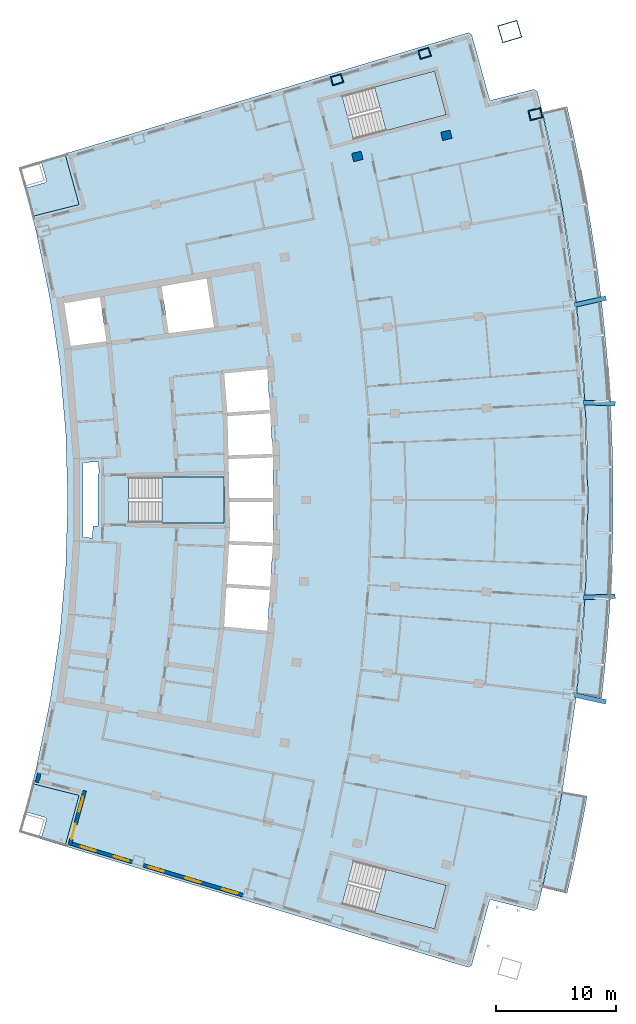
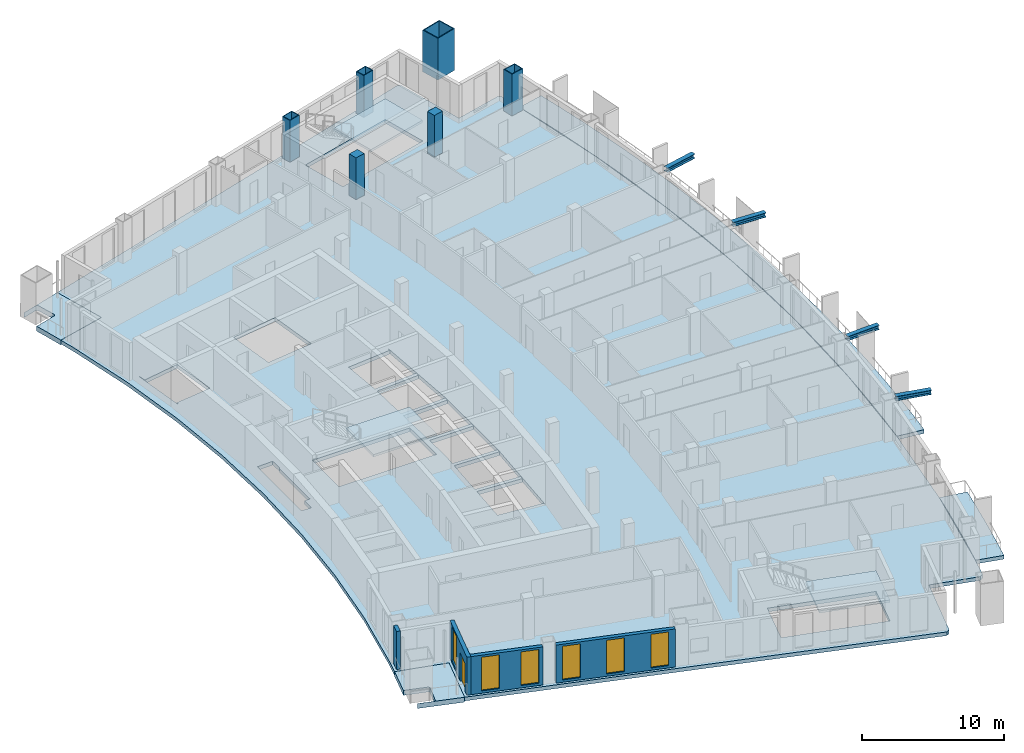
# One storey, part 8 of 19: 8 slabs, 6 columns, 6 windows, 4 members, 4 walls, 1 door, 7 openings, 3 elements without a shape of their own.
"""IFC4 building model written with IfcOpenShell, lengths in metres."""

from ifc_helpers import new_model, si_unit, direction, frame, frame_2d, origin, origin_2d, place, context, subcontext, project, spatial, polyline, rectangle, hollow_rectangle, i_section, outline, extrude, material, layer, layer_set, material_profile, profile_set, type_object, element, fill, aggregate, save


model = new_model("IFC4")

# Units and contexts
model_context = context("Model", 3, precision=1e-05, world=origin(), true_north=direction((0.0, 1.0)))
body_context = subcontext(model_context, "Body", "Model", "MODEL_VIEW")
ifc_project = project(units=[si_unit("LENGTHUNIT", "METRE"), si_unit("AREAUNIT", "SQUARE_METRE"), si_unit("VOLUMEUNIT", "CUBIC_METRE"), si_unit("PLANEANGLEUNIT", "RADIAN"), si_unit("MASSUNIT", "GRAM", prefix="KILO")], contexts=[model_context])

# Site, building, storey
site_placement = place(None, origin())
site = spatial("IfcSite", under=ifc_project, at=site_placement, CompositionType="ELEMENT")
building_placement = place(site_placement, origin())
building = spatial("IfcBuilding", under=site, at=building_placement, Name="Alderwake Tower", CompositionType="ELEMENT")
storey_placement = place(building_placement, frame((0.0, 0.0, 192.800048828125)))
storey = spatial("IfcBuildingStorey", under=building, at=storey_placement, Name="L47", CompositionType="ELEMENT", Elevation=192.800048828125)

# Columns
ifc_material_1 = material(Name="Steel ASTM A572 Grade 50 concrete filled C70/85", Category="concrete")
ifc_material_profile_1 = material_profile(ifc_material_1, hollow_rectangle(XDim=0.75, YDim=0.949951171875, WallThickness=0.054931640625, at=origin_2d()), Name="BOX 950X750X55")
ifc_profile_set_1 = profile_set([ifc_material_profile_1], Name="Steel ASTM A572 Grade 50 concrete filled C70/85")
column_type_1 = type_object("IfcColumnType", Name="End column Z4", PredefinedType="COLUMN", material=ifc_profile_set_1)
for number, where, z_axis, x_axis, name in (
    (1, (38.359619140625, 95.908447265625, 0.0), (0.0, 0.0, 1.0), (-0.282888913059, 0.959152679644, 0.0), "Column R12-C3"),
    (2, (45.638671875, 98.093994140625, 0.0), (0.0, 0.0, 1.0), (-0.283160095779, 0.95907265635, 0.0), "Column R12-C4"),
):
    element("IfcColumn", number, at=place(storey_placement, frame(where, z_axis=z_axis, x_axis=x_axis)), inside=storey, type_object=column_type_1, Name=name, PredefinedType="COLUMN", context=body_context, shape_type="SweptSolid", body=[
        extrude(hollow_rectangle(XDim=0.75, YDim=0.949951171875, WallThickness=0.054931640625, at=origin_2d()), origin(), (0.0, 0.0, 1.0), 3.599853515625),
    ])
ifc_material_2 = material(Name="Concrete C70/85", Category="concrete")
ifc_material_profile_2 = material_profile(ifc_material_2, rectangle(XDim=0.699951171875, YDim=0.800048828125, at=origin_2d()), Name="RC 800X700")
ifc_profile_set_2 = profile_set([ifc_material_profile_2], Name="Concrete C70/85")
column_type_2 = type_object("IfcColumnType", Name="Interior column Z4", PredefinedType="COLUMN", material=ifc_profile_set_2)
for number, where, z_axis, x_axis, name in (
    (3, (40.055908203125, 89.53271484375, 0.0), (0.0, 0.0, 1.0), (-0.231221547198, 0.972901123502, 0.0), "Column R11-C3"),
    (4, (47.449951171875, 91.2900390625, 0.0), (0.0, 0.0, 1.0), (-0.231221547198, 0.972901123502, 0.0), "Column R11-C4"),
):
    element("IfcColumn", number, at=place(storey_placement, frame(where, z_axis=z_axis, x_axis=x_axis)), inside=storey, type_object=column_type_2, Name=name, PredefinedType="COLUMN", context=body_context, shape_type="SweptSolid", body=[
        extrude(rectangle(XDim=0.699951171875, YDim=0.800048828125, at=origin_2d()), origin(), (0.0, 0.0, 1.0), 3.599853515625),
    ])
ifc_material_3 = material(Name="Steel ASTM A572 Grade 50 concrete filled C70/85", Category="concrete")
ifc_material_profile_3 = material_profile(ifc_material_3, hollow_rectangle(XDim=1.5, YDim=1.699951171875, WallThickness=0.074951171875, at=origin_2d()), Name="BOX 1700X1500X75")
ifc_profile_set_3 = profile_set([ifc_material_profile_3], Name="Steel ASTM A572 Grade 50 concrete filled C70/85")
column_type_3 = type_object("IfcColumnType", Name="Mega column Z4", PredefinedType="COLUMN", material=ifc_profile_set_3)
column_1_placement = place(storey_placement, frame((52.714599609375, 99.906982421875, 0.0), z_axis=(0.0, 0.0, 1.0), x_axis=(-0.281323312272, 0.959613043874, 0.0)))
element("IfcColumn", 5, at=column_1_placement, inside=storey, type_object=column_type_3, Name="Column R12-C5", PredefinedType="COLUMN", context=body_context, shape_type="SweptSolid", body=[
    extrude(hollow_rectangle(XDim=1.5, YDim=1.699951171875, WallThickness=0.074951171875, at=origin_2d()), origin(), (0.0, 0.0, 1.0), 3.599853515625),
])
ifc_material_4 = material(Name="Steel ASTM A572 Grade 50 concrete filled C70/85", Category="concrete")
ifc_material_profile_4 = material_profile(ifc_material_4, hollow_rectangle(XDim=0.85009765625, YDim=1.050048828125, WallThickness=0.054931640625, at=origin_2d()), Name="BOX 1050X850X55")
ifc_profile_set_4 = profile_set([ifc_material_profile_4], Name="Steel ASTM A572 Grade 50 concrete filled C70/85")
column_type_4 = type_object("IfcColumnType", Name="Perimeter column Z4", PredefinedType="COLUMN", material=ifc_profile_set_4)
column_2_placement = place(storey_placement, frame((54.843994140625, 93.04736328125, 0.0), z_axis=(0.0, 0.0, 1.0), x_axis=(-0.231221547198, 0.972901123502, 0.0)))
element("IfcColumn", 6, at=column_2_placement, inside=storey, type_object=column_type_4, Name="Column R11-C5", PredefinedType="COLUMN", context=body_context, shape_type="SweptSolid", body=[
    extrude(hollow_rectangle(XDim=0.85009765625, YDim=1.050048828125, WallThickness=0.054931640625, at=origin_2d()), origin(), (0.0, 0.0, 1.0), 3.599853515625),
])

# Members
ifc_material_5 = material(Name="Steel ASTM A992 Grade 50", Category="steel")
ifc_material_profile_5 = material_profile(ifc_material_5, i_section(OverallWidth=0.3740234375, OverallDepth=0.372314453125, WebThickness=0.016357421875, FlangeThickness=0.026123046875, at=origin_2d()), Name="W14X132")
ifc_profile_set_5 = profile_set([ifc_material_profile_5], Name="Steel ASTM A992 Grade 50")
member_type = type_object("IfcMemberType", Name="Brace node stub W14X132", PredefinedType="MEMBER", material=ifc_profile_set_5)
for number, where, z_axis, x_axis, name in (
    (7, (58.12890625, 44.80517578125, 3.393798828125), (0.975970860865, -0.217901075587, 0.0), (0.217901075587, 0.975970860865, 0.0), "Brace node stub BS.FR05-C5.1964"),
    (8, (58.8388671875, 52.898193359375, 3.393798828125), (0.999003188635, 0.044638874286, 0.0), (-0.044638874286, 0.999003188635, 0.0), "Brace node stub BS.FR06-C5.1964"),
    (9, (58.8388671875, 69.101806640625, 3.393798828125), (0.999003188635, -0.044638874286, 0.0), (0.044638874286, 0.999003188635, 0.0), "Brace node stub BS.FR08-C5.1964"),
    (10, (58.12890625, 77.19482421875, 3.393798828125), (0.975970860865, 0.217901075587, 0.0), (-0.217901075587, 0.975970860865, 0.0), "Brace node stub BS.FR09-C5.1964"),
):
    element("IfcMember", number, at=place(storey_placement, frame(where, z_axis=z_axis, x_axis=x_axis)), inside=storey, type_object=member_type, Name=name, PredefinedType="MEMBER", context=body_context, shape_type="SweptSolid", body=[
        extrude(i_section(OverallWidth=0.3740234375, OverallDepth=0.372314453125, WebThickness=0.016357421875, FlangeThickness=0.026123046875, at=origin_2d()), origin(), (0.0, 0.0, 1.0), 2.63623046875),
    ])

# Slabs
ifc_material_6 = material(Name="Concrete C50/60", Category="concrete")
ifc_layer_1 = layer(ifc_material_6, 0.320068359375)
ifc_layer_set_1 = layer_set([ifc_layer_1], Name="Balcony slab 320")
slab_type_1 = type_object("IfcSlabType", Name="Balcony slab 320", PredefinedType="FLOOR", material=ifc_layer_set_1)
slab_1_placement = place(storey_placement, frame((0.0, 0.0, -0.320068359375)))
element("IfcSlab", 11, at=slab_1_placement, inside=storey, type_object=slab_type_1, Name="Balcony BF03", PredefinedType="FLOOR", context=body_context, shape_type="SweptSolid", body=[
    extrude(outline(polyline([(55.427734375, 28.81396484375), (57.470947265625, 28.328369140625), (57.9326171875, 30.33642578125), (58.365234375, 32.351318359375), (58.768310546875, 34.3720703125), (59.141845703125, 36.3984375), (57.073974609375, 36.76416015625), (56.705810546875, 34.767822265625), (56.308837890625, 32.777099609375), (55.8828125, 30.792236328125), (55.427734375, 28.81396484375)])), origin(), (0.0, 0.0, 1.0), 0.320068359375),
])
slab_2_placement = place(storey_placement, frame((0.0, 0.0, -0.320068359375)))
element("IfcSlab", 12, at=slab_2_placement, inside=storey, type_object=slab_type_1, Name="Balcony BF05", PredefinedType="FLOOR", context=body_context, shape_type="SweptSolid", body=[
    extrude(outline(polyline([(60.564453125, 46.6005859375), (60.759521484375, 48.652099609375), (60.924560546875, 50.7060546875), (61.059814453125, 52.76220703125), (61.164794921875, 54.820068359375), (61.239990234375, 56.87939453125), (61.284912109375, 58.939453125), (61.300048828125, 61.0), (61.284912109375, 63.060546875), (61.239990234375, 65.12060546875), (61.164794921875, 67.179931640625), (61.059814453125, 69.23779296875), (60.924560546875, 71.2939453125), (60.759521484375, 73.347900390625), (60.564453125, 75.3994140625), (60.339599609375, 77.447509765625), (60.084716796875, 79.492431640625), (59.800048828125, 81.533203125), (59.48583984375, 83.56982421875), (59.141845703125, 85.6015625), (58.768310546875, 87.6279296875), (58.365234375, 89.648681640625), (57.9326171875, 91.66357421875), (57.470947265625, 93.671630859375), (55.427734375, 93.18603515625), (55.8828125, 91.207763671875), (56.308837890625, 89.222900390625), (56.705810546875, 87.232177734375), (57.073974609375, 85.23583984375), (57.412841796875, 83.234375), (57.722412109375, 81.22802734375), (58.002685546875, 79.217529296875), (58.253662109375, 77.203125), (58.475341796875, 75.185302734375), (58.66748046875, 73.16455078125), (58.830078125, 71.14111328125), (58.963134765625, 69.115478515625), (59.06689453125, 67.088134765625), (59.140869140625, 65.059326171875), (59.185302734375, 63.02978515625), (59.199951171875, 61.0), (59.185302734375, 58.97021484375), (59.140869140625, 56.940673828125), (59.06689453125, 54.911865234375), (58.963134765625, 52.884521484375), (58.830078125, 50.85888671875), (58.66748046875, 48.83544921875), (58.475341796875, 46.814697265625), (58.253662109375, 44.796875), (60.339599609375, 44.552490234375), (60.564453125, 46.6005859375)])), origin(), (0.0, 0.0, 1.0), 0.320068359375),
])
ifc_material_7 = material(Name="Concrete C50/60", Category="concrete")
ifc_layer_2 = layer(ifc_material_7, 0.320068359375)
ifc_layer_set_2 = layer_set([ifc_layer_2], Name="Concrete C50/60 post-tensioned flat plate 320")
slab_type_2 = type_object("IfcSlabType", Name="Concrete C50/60 post-tensioned flat plate 320", PredefinedType="FLOOR", material=ifc_layer_set_2)
slab_3_placement = place(storey_placement, frame((0.0, 0.0, -0.320068359375)))
element("IfcSlab", 13, at=slab_3_placement, inside=storey, type_object=slab_type_2, Name="Floor slab L47", PredefinedType="FLOOR", context=body_context, shape_type="SweptSolid", body=[
    extrude(outline(polyline([(13.06494140625, 37.443115234375), (13.3984375, 38.802734375), (14.53369140625, 44.28564453125), (15.347412109375, 49.825439453125), (15.836669921875, 55.4033203125), (16.0, 61.0), (15.836669921875, 66.5966796875), (15.347412109375, 72.174560546875), (14.53369140625, 77.71435546875), (13.3984375, 83.197265625), (13.06494140625, 84.556884765625), (16.942626953125, 85.53857421875), (15.776611328125, 89.7548828125), (49.269775390625, 99.810546875), (49.55126953125, 99.65478515625), (51.06640625, 94.176025390625), (54.72119140625, 95.101318359375), (54.998779296875, 94.93408203125), (55.427734375, 93.18603515625), (57.073974609375, 85.23583984375), (58.253662109375, 77.203125), (58.963134765625, 69.115478515625), (59.199951171875, 61.0), (58.963134765625, 52.884521484375), (58.253662109375, 44.796875), (57.073974609375, 36.76416015625), (55.427734375, 28.81396484375), (54.998779296875, 27.06591796875), (54.72119140625, 26.898681640625), (51.06640625, 27.823974609375), (49.55126953125, 22.34521484375), (49.269775390625, 22.189453125), (15.776611328125, 32.2451171875), (16.942626953125, 36.46142578125), (13.06494140625, 37.443115234375)]), holes=[polyline([(28.9853515625, 50.4306640625), (28.989013671875, 50.430419921875), (28.994140625, 50.485595703125), (32.546875, 50.1376953125), (32.5322265625, 49.988525390625), (32.562255859375, 49.985595703125), (32.80126953125, 53.654541015625), (33.0400390625, 57.323486328125), (33.0400390625, 61.0), (33.0400390625, 64.676513671875), (32.80126953125, 68.345458984375), (32.562255859375, 72.014404296875), (32.532470703125, 72.011474609375), (32.547119140625, 71.8623046875), (28.993896484375, 71.514404296875), (29.256591796875, 68.264892578125), (32.761474609375, 68.4931640625), (32.771240234375, 68.343505859375), (32.781005859375, 68.19384765625), (29.278564453125, 67.9658203125), (29.274169921875, 68.032470703125), (29.2705078125, 68.0322265625), (29.34423828125, 64.70654296875), (33.005126953125, 64.82568359375), (33.010009765625, 64.67578125), (33.014892578125, 64.525634765625), (29.350830078125, 64.406494140625), (29.4228515625, 61.14990234375), (33.010009765625, 61.14990234375), (33.010009765625, 61.0), (33.010009765625, 60.85009765625), (29.429443359375, 60.85009765625), (29.4765625, 58.72314453125), (29.409423828125, 57.591552734375), (33.014892578125, 57.474365234375), (33.010009765625, 57.32421875), (33.005126953125, 57.17431640625), (29.395751953125, 57.291748046875), (29.39599609375, 57.3017578125), (29.392333984375, 57.302001953125), (29.198974609375, 54.039306640625), (32.781005859375, 53.80615234375), (32.771240234375, 53.656494140625), (32.761474609375, 53.5068359375), (29.181396484375, 53.739990234375), (28.9853515625, 50.4306640625)]), polyline([(21.050048828125, 62.875), (21.050048828125, 59.125), (29.0, 59.125), (29.0, 62.875), (21.050048828125, 62.875)]), polyline([(15.64111328125, 77.91015625), (15.487060546875, 77.8828125), (15.487548828125, 77.879150390625), (15.617919921875, 77.899169921875), (16.280029296875, 73.5927734375), (16.31005859375, 73.5966796875), (16.2841796875, 73.794921875), (19.224853515625, 74.1796875), (18.673095703125, 77.842041015625), (18.869140625, 77.87158203125), (18.8671875, 77.8837890625), (15.740234375, 77.340087890625), (15.64111328125, 77.91015625)]), polyline([(27.538330078125, 79.39111328125), (23.794921875, 78.740478515625), (24.384033203125, 74.8583984375), (24.36865234375, 74.856201171875), (24.369140625, 74.8525390625), (28.152587890625, 75.347412109375), (27.538330078125, 79.39111328125)]), polyline([(47.436279296875, 28.996826171875), (39.754150390625, 31.043212890625), (38.7890625, 27.41943359375), (46.47119140625, 25.373291015625), (47.436279296875, 28.996826171875)]), polyline([(46.47119140625, 96.626708984375), (38.7890625, 94.58056640625), (39.754150390625, 90.956787109375), (47.436279296875, 93.003173828125), (46.47119140625, 96.626708984375)]), polyline([(17.289306640625, 64.118408203125), (17.289306640625, 57.881591796875), (18.06298828125, 57.85400390625), (18.090576171875, 58.84375), (18.544189453125, 58.831298828125), (18.529296875, 58.8681640625), (18.5234375, 58.891845703125), (18.5185546875, 58.940673828125), (18.5185546875, 63.060302734375), (18.5234375, 63.109130859375), (18.53759765625, 63.156005859375), (18.560791015625, 63.19921875), (18.588623046875, 63.2333984375), (18.562744140625, 64.16357421875), (17.289306640625, 64.118408203125)])]), origin(), (0.0, 0.0, 1.0), 0.320068359375),
])

# Stair, slab
ifc_material_8 = material(Name="Concrete C40/50", Category="concrete")
stair_type = type_object("IfcStairType", Name="Core exit stair", PredefinedType="HALF_TURN_STAIR", material=ifc_material_8)
stair_1_placement = place(storey_placement, origin())
stair_1 = element("IfcStair", 14, at=stair_1_placement, inside=storey, type_object=stair_type, Name="L47 Exit Stair B", PredefinedType="HALF_TURN_STAIR")
ifc_material_9 = material(Name="Concrete C40/50", Category="concrete")
ifc_layer_3 = layer(ifc_material_9, 0.199951171875)
ifc_layer_set_3 = layer_set([ifc_layer_3], Name="Core stair landing 200")
slab_type_3 = type_object("IfcSlabType", Name="Core stair landing 200", PredefinedType="LANDING", material=ifc_layer_set_3)
slab_4_placement = place(storey_placement, frame((0.0, 0.0, 1.599853515625)))
slab_4 = element("IfcSlab", 15, at=slab_4_placement, type_object=slab_type_3, Name="ST-B landing 1", PredefinedType="LANDING", context=body_context, shape_type="SweptSolid", body=[
    extrude(outline(polyline([(23.830078125, 59.074951171875), (29.0, 59.074951171875), (29.0, 62.925048828125), (23.830078125, 62.925048828125), (23.830078125, 59.074951171875)])), origin(), (0.0, 0.0, 1.0), 0.2001953125),
])
aggregate(stair_1, [slab_4])

stair_2_placement = place(storey_placement, origin())
stair_2 = element("IfcStair", 16, at=stair_2_placement, inside=storey, type_object=stair_type, Name="L47 Exit Stair A", PredefinedType="HALF_TURN_STAIR")
slab_5_placement = place(storey_placement, frame((0.0, 0.0, 1.599853515625)))
slab_5 = element("IfcSlab", 17, at=slab_5_placement, type_object=slab_type_3, Name="ST-A landing 1", PredefinedType="LANDING", context=body_context, shape_type="SweptSolid", body=[
    extrude(outline(polyline([(42.440673828125, 91.67236328125), (47.436279296875, 93.003173828125), (46.47119140625, 96.626708984375), (41.475341796875, 95.296142578125), (42.440673828125, 91.67236328125)])), origin(), (0.0, 0.0, 1.0), 0.2001953125),
])
aggregate(stair_2, [slab_5])

stair_3_placement = place(storey_placement, origin())
stair_3 = element("IfcStair", 18, at=stair_3_placement, inside=storey, type_object=stair_type, Name="L47 Exit Stair C", PredefinedType="HALF_TURN_STAIR")
slab_6_placement = place(storey_placement, frame((0.0, 0.0, 1.599853515625)))
slab_6 = element("IfcSlab", 19, at=slab_6_placement, type_object=slab_type_3, Name="ST-C landing 1", PredefinedType="LANDING", context=body_context, shape_type="SweptSolid", body=[
    extrude(outline(polyline([(41.475341796875, 26.703857421875), (46.47119140625, 25.373291015625), (47.436279296875, 28.996826171875), (42.4404296875, 30.32763671875), (41.475341796875, 26.703857421875)])), origin(), (0.0, 0.0, 1.0), 0.2001953125),
])
aggregate(stair_3, [slab_6])

# Slabs
ifc_material_10 = material(Name="Concrete C50/60", Category="concrete")
ifc_layer_4 = layer(ifc_material_10, 0.419921875)
ifc_layer_set_4 = layer_set([ifc_layer_4], Name="Terrace slab 420")
slab_type_4 = type_object("IfcSlabType", Name="Terrace slab 420", PredefinedType="FLOOR", material=ifc_layer_set_4)
slab_7_placement = place(storey_placement, frame((0.0, 0.0, -0.420166015625)))
element("IfcSlab", 20, at=slab_7_placement, inside=storey, type_object=slab_type_4, Name="Corner terrace RS", PredefinedType="FLOOR", context=body_context, shape_type="SweptSolid", body=[
    extrude(outline(polyline([(15.776611328125, 32.2451171875), (12.517333984375, 33.2236328125), (13.628662109375, 32.901123046875), (13.64306640625, 32.897705078125), (13.65771484375, 32.895751953125), (13.67236328125, 32.895263671875), (13.68701171875, 32.896240234375), (13.701416015625, 32.8984375), (13.7158203125, 32.90234375), (13.7294921875, 32.907470703125), (13.742919921875, 32.913818359375), (13.75537109375, 32.921630859375), (13.76708984375, 32.930419921875), (13.77783203125, 32.9404296875), (13.78759765625, 32.951416015625), (13.796142578125, 32.96337890625), (13.8037109375, 32.976318359375), (13.809814453125, 32.989501953125), (13.814453125, 33.00341796875), (14.232421875, 34.444091796875), (14.23583984375, 34.45849609375), (14.23779296875, 34.472900390625), (14.23828125, 34.48779296875), (14.237548828125, 34.50244140625), (14.235107421875, 34.516845703125), (14.2314453125, 34.53125), (14.226318359375, 34.544921875), (14.2197265625, 34.55810546875), (14.212158203125, 34.57080078125), (14.203125, 34.58251953125), (14.193115234375, 34.59326171875), (14.18212890625, 34.60302734375), (14.170166015625, 34.611572265625), (14.157470703125, 34.618896484375), (14.14404296875, 34.625244140625), (14.130126953125, 34.6298828125), (12.49755859375, 35.103515625), (12.483154296875, 35.10693359375), (12.468505859375, 35.10888671875), (12.453857421875, 35.109619140625), (12.4404296875, 35.108642578125), (12.71142578125, 36.08837890625), (13.06494140625, 37.443115234375), (16.942626953125, 36.46142578125), (15.776611328125, 32.2451171875)])), origin(), (0.0, 0.0, 1.0), 0.420166015625),
])
slab_8_placement = place(storey_placement, frame((0.0, 0.0, -0.420166015625)))
element("IfcSlab", 21, at=slab_8_placement, inside=storey, type_object=slab_type_4, Name="Corner terrace RN", PredefinedType="FLOOR", context=body_context, shape_type="SweptSolid", body=[
    extrude(outline(polyline([(12.4404296875, 86.891357421875), (12.453857421875, 86.890380859375), (12.468505859375, 86.89111328125), (12.483154296875, 86.89306640625), (12.49755859375, 86.896484375), (14.130126953125, 87.3701171875), (14.14404296875, 87.374755859375), (14.157470703125, 87.381103515625), (14.170166015625, 87.388427734375), (14.18212890625, 87.39697265625), (14.193115234375, 87.40673828125), (14.203125, 87.41748046875), (14.212158203125, 87.42919921875), (14.2197265625, 87.44189453125), (14.226318359375, 87.455078125), (14.2314453125, 87.46875), (14.235107421875, 87.483154296875), (14.237548828125, 87.49755859375), (14.23828125, 87.51220703125), (14.23779296875, 87.527099609375), (14.23583984375, 87.54150390625), (14.232421875, 87.555908203125), (13.814453125, 88.99658203125), (13.809814453125, 89.010498046875), (13.8037109375, 89.023681640625), (13.796142578125, 89.03662109375), (13.78759765625, 89.048583984375), (13.77783203125, 89.0595703125), (13.76708984375, 89.069580078125), (13.75537109375, 89.078369140625), (13.742919921875, 89.086181640625), (13.7294921875, 89.092529296875), (13.7158203125, 89.09765625), (13.701416015625, 89.1015625), (13.68701171875, 89.103759765625), (13.67236328125, 89.104736328125), (13.65771484375, 89.104248046875), (13.64306640625, 89.102294921875), (13.628662109375, 89.098876953125), (12.517333984375, 88.7763671875), (15.776611328125, 89.7548828125), (16.942626953125, 85.53857421875), (13.06494140625, 84.556884765625), (12.71142578125, 85.91162109375), (12.4404296875, 86.891357421875)])), origin(), (0.0, 0.0, 1.0), 0.420166015625),
])

# Wall
ifc_material_11 = material(Name="Precast concrete C50/60 spandrel panel", Category="concrete")
ifc_layer_5 = layer(ifc_material_11, 0.300048828125)
ifc_layer_set_5 = layer_set([ifc_layer_5], Name="External wall EW1 Precast concrete C50/60 spandrel")
wall_type_1 = type_object("IfcWallType", Name="External wall EW1 Precast concrete C50/60 spandrel", PredefinedType="SOLIDWALL", material=ifc_layer_set_5)
wall_1_placement = place(storey_placement, frame((13.63720703125, 38.30712890625, 0.0), z_axis=(0.0, 0.0, 1.0), x_axis=(-0.23817684901, -0.971221801957, 0.0)))
element("IfcWall", 22, at=wall_1_placement, inside=storey, type_object=wall_type_1, Name="External wall 1", PredefinedType="SOLIDWALL", context=body_context, shape_type="SweptSolid", body=[
    extrude(rectangle(XDim=0.778076171875, YDim=0.300048828125, at=frame_2d((0.38916015625, 0.0))), origin(), (0.0, 0.0, 1.0), 3.280029296875),
])

# Wall, openings, door, window
ifc_material_12 = material(Name="Bronze metal cladding on lightweight framing")
ifc_layer_6 = layer(ifc_material_12, 0.300048828125)
ifc_layer_set_6 = layer_set([ifc_layer_6], Name="External wall EW2 bronze metal cladding")
wall_type_2 = type_object("IfcWallType", Name="External wall EW2 bronze metal cladding", PredefinedType="SOLIDWALL", material=ifc_layer_set_6)
wall_2_placement = place(storey_placement, frame((17.410400390625, 36.85888671875, 0.0), z_axis=(0.0, 0.0, 1.0), x_axis=(-0.264592640785, -0.96436027212, 0.0)))
wall_2 = element("IfcWall", 23, at=wall_2_placement, inside=storey, type_object=wall_type_2, Name="External wall 3", PredefinedType="SOLIDWALL", context=body_context, shape_type="SweptSolid", body=[
    extrude(rectangle(XDim=4.690185546875, YDim=0.300048828125, at=frame_2d((2.34521484375, 0.0))), origin(), (0.0, 0.0, 1.0), 3.280029296875),
])
opening_1_placement = place(wall_2_placement, frame((0.5224609375, 0.0, 0.199951171875)))
opening_1 = element("IfcOpeningElement", 24, at=opening_1_placement, cuts=wall_2, Name="Opening W1", PredefinedType="OPENING", context=body_context, shape_type="SweptSolid", body=[
    extrude(rectangle(XDim=1.300048828125, YDim=2.89990234375, at=frame_2d((0.64990234375, 1.449951171875))), frame((0.0, 0.159912109375, 0.0), z_axis=(0.0, -1.0, 0.0), x_axis=(1.0, 0.0, 0.0)), (0.0, 0.0, 1.0), 0.320068359375),
])
opening_2_placement = place(wall_2_placement, frame((2.867431640625, 0.0, 0.0)))
opening_2 = element("IfcOpeningElement", 25, at=opening_2_placement, cuts=wall_2, Name="Opening D01", PredefinedType="OPENING", context=body_context, shape_type="SweptSolid", body=[
    extrude(rectangle(XDim=1.300048828125, YDim=2.39990234375, at=frame_2d((0.64990234375, 1.199951171875))), frame((0.0, 0.159912109375, 0.0), z_axis=(0.0, -1.0, 0.0), x_axis=(1.0, 0.0, 0.0)), (0.0, 0.0, 1.0), 0.320068359375),
])
ifc_material_13 = material(Name="Bronze tinted glass in aluminium frame", Category="aluminium")
door_type = type_object("IfcDoorType", Name="Balcony door BD sliding", OperationType="SLIDING_TO_LEFT", PredefinedType="DOOR", material=ifc_material_13)
door_placement = place(opening_2_placement, origin())
door = element("IfcDoor", 26, at=door_placement, inside=storey, type_object=door_type, Name="Door D01", OperationType="SLIDING_TO_LEFT", OverallHeight=2.39990234375, OverallWidth=1.300048828125, PredefinedType="DOOR", context=body_context, shape_type="SweptSolid", body=[
    extrude(rectangle(XDim=1.300048828125, YDim=2.39990234375, at=frame_2d((0.64990234375, 1.199951171875))), frame((0.0, 0.02490234375, 0.0), z_axis=(0.0, -1.0, 0.0), x_axis=(1.0, 0.0, 0.0)), (0.0, 0.0, 1.0), 0.050048828125),
])
fill(opening_2, door)
ifc_material_14 = material(Name="Bronze tinted glass in aluminium frame", Category="aluminium")
window_type = type_object("IfcWindowType", Name="Window W1 tall fixed and vent", PartitioningType="DOUBLE_PANEL_VERTICAL", PredefinedType="WINDOW", material=ifc_material_14)
window_1_placement = place(opening_1_placement, origin())
window_1 = element("IfcWindow", 27, at=window_1_placement, inside=storey, type_object=window_type, Name="Window W1 tall fixed and vent", OverallHeight=2.89990234375, OverallWidth=1.300048828125, PartitioningType="DOUBLE_PANEL_VERTICAL", PredefinedType="WINDOW", context=body_context, shape_type="SweptSolid", body=[
    extrude(rectangle(XDim=1.300048828125, YDim=2.89990234375, at=frame_2d((0.64990234375, 1.449951171875))), frame((0.0, 0.030029296875, 0.0), z_axis=(0.0, -1.0, 0.0), x_axis=(1.0, 0.0, 0.0)), (0.0, 0.0, 1.0), 0.06005859375),
])
fill(opening_1, window_1)

# Wall, openings, windows
wall_3_placement = place(storey_placement, frame((16.352783203125, 32.4375, 0.0), z_axis=(0.0, 0.0, 1.0), x_axis=(0.95777225046, -0.287527939944, 0.0)))
wall_3 = element("IfcWall", 28, at=wall_3_placement, inside=storey, type_object=wall_type_2, Name="External wall 4", PredefinedType="SOLIDWALL", context=body_context, shape_type="SweptSolid", body=[
    extrude(rectangle(XDim=5.224609375, YDim=0.300048828125, at=frame_2d((2.6123046875, 0.0))), origin(), (0.0, 0.0, 1.0), 3.280029296875),
])
opening_3_placement = place(wall_3_placement, frame((0.775390625, 0.0, 0.199951171875)))
opening_3 = element("IfcOpeningElement", 29, at=opening_3_placement, cuts=wall_3, Name="Opening W1", PredefinedType="OPENING", context=body_context, shape_type="SweptSolid", body=[
    extrude(rectangle(XDim=1.300048828125, YDim=2.89990234375, at=frame_2d((0.64990234375, 1.449951171875))), frame((0.0, 0.159912109375, 0.0), z_axis=(0.0, -1.0, 0.0), x_axis=(1.0, 0.0, 0.0)), (0.0, 0.0, 1.0), 0.320068359375),
])
opening_4_placement = place(wall_3_placement, frame((3.626220703125, 0.0, 0.199951171875)))
opening_4 = element("IfcOpeningElement", 30, at=opening_4_placement, cuts=wall_3, Name="Opening W1", PredefinedType="OPENING", context=body_context, shape_type="SweptSolid", body=[
    extrude(rectangle(XDim=1.300048828125, YDim=2.89990234375, at=frame_2d((0.64990234375, 1.449951171875))), frame((0.0, 0.159912109375, 0.0), z_axis=(0.0, -1.0, 0.0), x_axis=(1.0, 0.0, 0.0)), (0.0, 0.0, 1.0), 0.320068359375),
])
window_2_placement = place(opening_3_placement, origin())
window_2 = element("IfcWindow", 31, at=window_2_placement, inside=storey, type_object=window_type, Name="Window W1 tall fixed and vent", OverallHeight=2.89990234375, OverallWidth=1.300048828125, PartitioningType="DOUBLE_PANEL_VERTICAL", PredefinedType="WINDOW", context=body_context, shape_type="SweptSolid", body=[
    extrude(rectangle(XDim=1.300048828125, YDim=2.89990234375, at=frame_2d((0.64990234375, 1.449951171875))), frame((0.0, 0.030029296875, 0.0), z_axis=(0.0, -1.0, 0.0), x_axis=(1.0, 0.0, 0.0)), (0.0, 0.0, 1.0), 0.06005859375),
])
fill(opening_3, window_2)
window_3_placement = place(opening_4_placement, origin())
window_3 = element("IfcWindow", 32, at=window_3_placement, inside=storey, type_object=window_type, Name="Window W1 tall fixed and vent", OverallHeight=2.89990234375, OverallWidth=1.300048828125, PartitioningType="DOUBLE_PANEL_VERTICAL", PredefinedType="WINDOW", context=body_context, shape_type="SweptSolid", body=[
    extrude(rectangle(XDim=1.300048828125, YDim=2.89990234375, at=frame_2d((0.64990234375, 1.449951171875))), frame((0.0, 0.030029296875, 0.0), z_axis=(0.0, -1.0, 0.0), x_axis=(1.0, 0.0, 0.0)), (0.0, 0.0, 1.0), 0.06005859375),
])
fill(opening_4, window_3)

wall_4_placement = place(storey_placement, frame((22.270751953125, 30.660888671875, 0.0), z_axis=(0.0, 0.0, 1.0), x_axis=(0.957759421932, -0.287570669054, 0.0)))
wall_4 = element("IfcWall", 33, at=wall_4_placement, inside=storey, type_object=wall_type_2, Name="External wall 5", PredefinedType="SOLIDWALL", context=body_context, shape_type="SweptSolid", body=[
    extrude(rectangle(XDim=8.64599609375, YDim=0.300048828125, at=frame_2d((4.322998046875, 0.0))), origin(), (0.0, 0.0, 1.0), 3.280029296875),
])
opening_5_placement = place(wall_4_placement, frame((0.472900390625, 0.0, 0.199951171875)))
opening_5 = element("IfcOpeningElement", 34, at=opening_5_placement, cuts=wall_4, Name="Opening W1", PredefinedType="OPENING", context=body_context, shape_type="SweptSolid", body=[
    extrude(rectangle(XDim=1.300048828125, YDim=2.89990234375, at=frame_2d((0.64990234375, 1.449951171875))), frame((0.0, 0.159912109375, 0.0), z_axis=(0.0, -1.0, 0.0), x_axis=(1.0, 0.0, 0.0)), (0.0, 0.0, 1.0), 0.320068359375),
])
opening_6_placement = place(wall_4_placement, frame((3.673095703125, 0.0, 0.199951171875)))
opening_6 = element("IfcOpeningElement", 35, at=opening_6_placement, cuts=wall_4, Name="Opening W1", PredefinedType="OPENING", context=body_context, shape_type="SweptSolid", body=[
    extrude(rectangle(XDim=1.300048828125, YDim=2.89990234375, at=frame_2d((0.64990234375, 1.449951171875))), frame((0.0, 0.159912109375, 0.0), z_axis=(0.0, -1.0, 0.0), x_axis=(1.0, 0.0, 0.0)), (0.0, 0.0, 1.0), 0.320068359375),
])
opening_7_placement = place(wall_4_placement, frame((6.873046875, 0.0, 0.199951171875)))
opening_7 = element("IfcOpeningElement", 36, at=opening_7_placement, cuts=wall_4, Name="Opening W1", PredefinedType="OPENING", context=body_context, shape_type="SweptSolid", body=[
    extrude(rectangle(XDim=1.300048828125, YDim=2.89990234375, at=frame_2d((0.64990234375, 1.449951171875))), frame((0.0, 0.159912109375, 0.0), z_axis=(0.0, -1.0, 0.0), x_axis=(1.0, 0.0, 0.0)), (0.0, 0.0, 1.0), 0.320068359375),
])
window_4_placement = place(opening_5_placement, origin())
window_4 = element("IfcWindow", 37, at=window_4_placement, inside=storey, type_object=window_type, Name="Window W1 tall fixed and vent", OverallHeight=2.89990234375, OverallWidth=1.300048828125, PartitioningType="DOUBLE_PANEL_VERTICAL", PredefinedType="WINDOW", context=body_context, shape_type="SweptSolid", body=[
    extrude(rectangle(XDim=1.300048828125, YDim=2.89990234375, at=frame_2d((0.64990234375, 1.449951171875))), frame((0.0, 0.030029296875, 0.0), z_axis=(0.0, -1.0, 0.0), x_axis=(1.0, 0.0, 0.0)), (0.0, 0.0, 1.0), 0.06005859375),
])
fill(opening_5, window_4)
window_5_placement = place(opening_6_placement, origin())
window_5 = element("IfcWindow", 38, at=window_5_placement, inside=storey, type_object=window_type, Name="Window W1 tall fixed and vent", OverallHeight=2.89990234375, OverallWidth=1.300048828125, PartitioningType="DOUBLE_PANEL_VERTICAL", PredefinedType="WINDOW", context=body_context, shape_type="SweptSolid", body=[
    extrude(rectangle(XDim=1.300048828125, YDim=2.89990234375, at=frame_2d((0.64990234375, 1.449951171875))), frame((0.0, 0.030029296875, 0.0), z_axis=(0.0, -1.0, 0.0), x_axis=(1.0, 0.0, 0.0)), (0.0, 0.0, 1.0), 0.06005859375),
])
fill(opening_6, window_5)
window_6_placement = place(opening_7_placement, origin())
window_6 = element("IfcWindow", 39, at=window_6_placement, inside=storey, type_object=window_type, Name="Window W1 tall fixed and vent", OverallHeight=2.89990234375, OverallWidth=1.300048828125, PartitioningType="DOUBLE_PANEL_VERTICAL", PredefinedType="WINDOW", context=body_context, shape_type="SweptSolid", body=[
    extrude(rectangle(XDim=1.300048828125, YDim=2.89990234375, at=frame_2d((0.64990234375, 1.449951171875))), frame((0.0, 0.030029296875, 0.0), z_axis=(0.0, -1.0, 0.0), x_axis=(1.0, 0.0, 0.0)), (0.0, 0.0, 1.0), 0.06005859375),
])
fill(opening_7, window_6)

save(model, "model.ifc")
